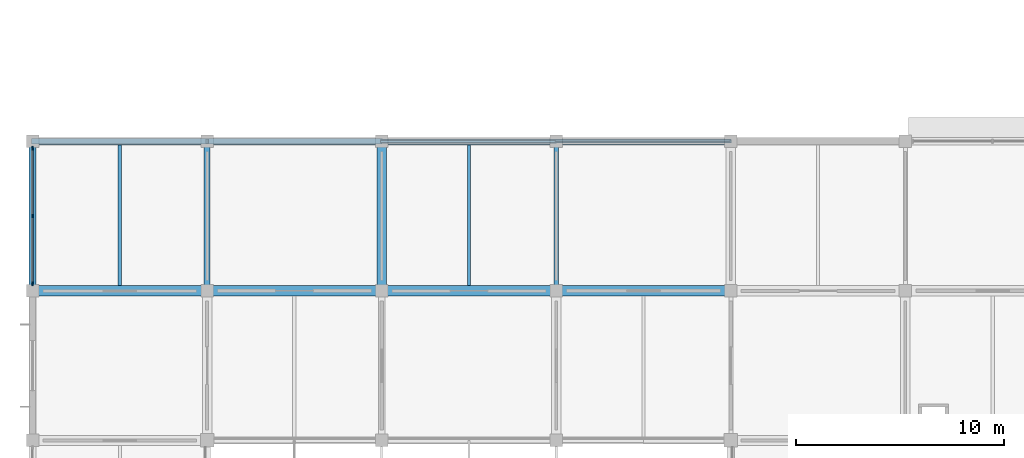
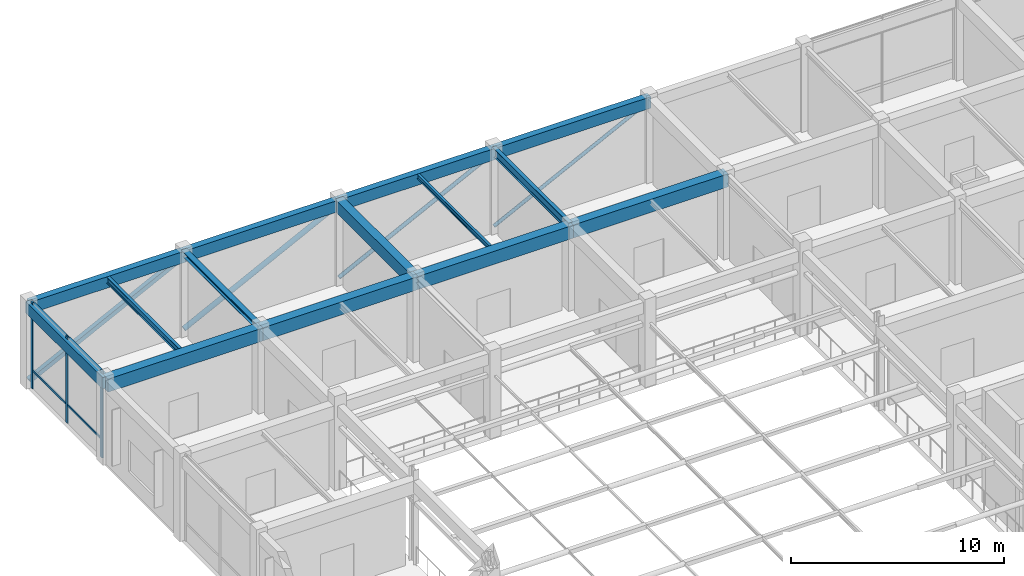
# One storey, part 15 of 38: 14 beams, 9 members, 1 element without a shape of its own.
"""IFC4 building model written with IfcOpenShell, lengths in metres."""

import ifcopenshell
import ifcopenshell.guid

model = None  # the IFC model being written
_history = None  # IfcOwnerHistory: only IFC2X3 demands one
_inside = {}  # id of a spatial element -> (the spatial element, [elements in it])
_under = {}  # id of a project, library or spatial element -> (it, [spatial elements below it])
_declared = {}  # id of a project -> (the project, [libraries it declares])
_typed = {}  # id of a type object -> (the type object, [elements of that type])
_made_of = {}  # id of a material, layer set ... -> (it, [elements and type objects made of it])


def new_model(schema):
    """Start an empty IFC model of exactly this schema.

    Asked for "IFC4X3", IfcOpenShell would pick the latest addendum, in which some entities
    have other attributes; the version numbers below select the first issue.
    IFC2X3 requires an IfcOwnerHistory on every rooted entity: one is made here for all.
    """
    global model, _history
    if schema == "IFC4X3":
        model = ifcopenshell.file(schema_version=(4, 3, 0, 0))
    else:
        model = ifcopenshell.file(schema=schema)
    _inside.clear()
    _under.clear()
    _declared.clear()
    _typed.clear()
    _made_of.clear()
    _history = None
    if model.schema == "IFC2X3":
        org = make("IfcOrganization", Name="unknown")
        user = make(
            "IfcPersonAndOrganization",
            ThePerson=make("IfcPerson", FamilyName="unknown"),
            TheOrganization=org,
        )
        app = make(
            "IfcApplication",
            ApplicationDeveloper=org,
            Version="unknown",
            ApplicationFullName="unknown",
            ApplicationIdentifier="unknown",
        )
        _history = make(
            "IfcOwnerHistory",
            OwningUser=user,
            OwningApplication=app,
            ChangeAction="ADDED",
            CreationDate=0,
        )
    return model


def make(cls, **values):
    """One entity of the class cls with the attributes given. An attribute that is None is left unset."""
    return model.create_entity(
        cls, **{name: value for name, value in values.items() if value is not None}
    )


def rooted(cls, **values):
    """An entity with a GlobalId (a new one), such as an element, a storey or a relation."""
    return make(cls, GlobalId=ifcopenshell.guid.new(), OwnerHistory=_history, **values)


def si_unit(unit_type, name, prefix=None):
    """IfcSIUnit, for example si_unit("LENGTHUNIT", "METRE", prefix="MILLI")."""
    return make("IfcSIUnit", UnitType=unit_type, Prefix=prefix, Name=name)


def derived_unit(unit_type, elements):
    """IfcDerivedUnit: a product of units, each with its exponent."""
    return make(
        "IfcDerivedUnit",
        Elements=[
            make("IfcDerivedUnitElement", Unit=unit, Exponent=power)
            for unit, power in elements
        ],
        UnitType=unit_type,
    )


def assignment(units):
    """IfcUnitAssignment: the units of a project."""
    return None if units is None else make("IfcUnitAssignment", Units=units)


def point(xyz):
    """IfcCartesianPoint."""
    return None if xyz is None else make("IfcCartesianPoint", Coordinates=xyz)


def direction(xyz):
    """IfcDirection."""
    return None if xyz is None else make("IfcDirection", DirectionRatios=xyz)


def frame(location, z_axis=None, x_axis=None):
    """IfcAxis2Placement3D, a coordinate frame: its origin and axes. An axis left out is left unset."""
    return make(
        "IfcAxis2Placement3D",
        Location=point(location),
        Axis=direction(z_axis),
        RefDirection=direction(x_axis),
    )


def frame_2d(location, x_axis=None):
    """IfcAxis2Placement2D, a coordinate frame in the plane: its origin and x axis."""
    return make(
        "IfcAxis2Placement2D", Location=point(location), RefDirection=direction(x_axis)
    )


def origin():
    """The frame at (0, 0, 0) with its axes left unset."""
    return frame((0.0, 0.0, 0.0))


def origin_2d():
    """The frame at (0, 0) in the plane with its x axis left unset."""
    return frame_2d((0.0, 0.0))


def place(relative_to, where):
    """IfcLocalPlacement: puts the frame where relative to a parent placement (None: the world)."""
    return make(
        "IfcLocalPlacement", PlacementRelTo=relative_to, RelativePlacement=where
    )


def context(
    kind, dimensions, precision=None, world=None, true_north=None, identifier=None
):
    """IfcGeometricRepresentationContext, for example the 3D "Model" context."""
    return make(
        "IfcGeometricRepresentationContext",
        ContextIdentifier=identifier,
        ContextType=kind,
        CoordinateSpaceDimension=dimensions,
        Precision=precision,
        WorldCoordinateSystem=world,
        TrueNorth=true_north,
    )


def subcontext(parent, identifier, kind, view, scale=None):
    """IfcGeometricRepresentationSubContext, for example "Body" below "Model"."""
    return make(
        "IfcGeometricRepresentationSubContext",
        ContextIdentifier=identifier,
        ContextType=kind,
        ParentContext=parent,
        TargetScale=scale,
        TargetView=view,
    )


def project(units=None, contexts=None):
    """IfcProject with its units and contexts."""
    return rooted(
        "IfcProject",
        Name="project",
        RepresentationContexts=contexts,
        UnitsInContext=assignment(units),
    )


def spatial(cls, under=None, at=None, **own):
    """A site, building, storey or space (cls), placed at a placement, below another one or the project."""
    s = rooted(cls, ObjectPlacement=at, **own)
    if under is not None:
        _under.setdefault(under.id(), (under, []))[1].append(s)
    return s


def profile(cls, at=None, kind="AREA", **sizes):
    """A parametric profile (cls). Its sizes go by their IFC names, for example OverallWidth=200.0."""
    return make(cls, ProfileType=kind, Position=at, **sizes)


def rectangle(**sizes):
    """IfcRectangleProfileDef."""
    return profile("IfcRectangleProfileDef", **sizes)


def hollow_rectangle(**sizes):
    """IfcRectangleHollowProfileDef."""
    return profile("IfcRectangleHollowProfileDef", **sizes)


def hollow_circle(**sizes):
    """IfcCircleHollowProfileDef."""
    return profile("IfcCircleHollowProfileDef", **sizes)


def i_section(**sizes):
    """IfcIShapeProfileDef."""
    return profile("IfcIShapeProfileDef", **sizes)


def extrude(swept, where, along, depth):
    """IfcExtrudedAreaSolid: the profile swept, set in the frame where, extruded along a direction by depth."""
    return make(
        "IfcExtrudedAreaSolid",
        SweptArea=swept,
        Position=where,
        ExtrudedDirection=direction(along),
        Depth=depth,
    )


def shape(context_of_items, identifier, shape_type, items):
    """IfcShapeRepresentation: the items that make up one representation, for example the "Body"."""
    return make(
        "IfcShapeRepresentation",
        ContextOfItems=context_of_items,
        RepresentationIdentifier=identifier,
        RepresentationType=shape_type,
        Items=items,
    )


def material(Name=None, Category=None):
    """IfcMaterial."""
    return make("IfcMaterial", Name=Name, Category=Category)


def material_profile(
    of_material, cross_section, Name=None, Category=None, Priority=None
):
    """IfcMaterialProfile: a cross section and its material."""
    return make(
        "IfcMaterialProfile",
        Name=Name,
        Material=of_material,
        Profile=cross_section,
        Priority=Priority,
        Category=Category,
    )


def profile_set(profiles, Name=None, composite=None):
    """IfcMaterialProfileSet."""
    return make(
        "IfcMaterialProfileSet",
        Name=Name,
        MaterialProfiles=profiles,
        CompositeProfile=composite,
    )


def made_of(thing, what):
    """Note that an element or type object is made of a material, layer set ...; save() writes the relation."""
    if what is not None:
        _made_of.setdefault(what.id(), (what, []))[1].append(thing)
    return thing


def type_object(cls, material=None, **own):
    """A type object (cls), such as IfcWallType, which elements share."""
    return made_of(rooted(cls, **own), material)


def element(
    cls,
    number,
    at=None,
    inside=None,
    cuts=None,
    type_object=None,
    material=None,
    context=None,
    identifier="Body",
    shape_type=None,
    held_by="IfcProductDefinitionShape",
    body=None,
    shapes=None,
    **own,
):
    """One element of the class cls, such as IfcWall. Its Tag is "e" and its number.

    at: its placement. inside: the storey or other place that contains it. cuts: it is an
    opening in that element (IfcRelVoidsElement). A single representation is given by context,
    identifier, shape_type and body (its items); several are given by shapes. held_by: the class
    of the entity that holds the representations. save() writes the other relations.
    """
    e = rooted(cls, Tag="e%d" % number, ObjectPlacement=at, **own)
    if body is not None:
        shapes = [shape(context, identifier, shape_type, body)]
    if shapes is not None:
        e.Representation = make(held_by, Representations=shapes)
    if inside is not None:
        _inside.setdefault(inside.id(), (inside, []))[1].append(e)
    if cuts is not None:
        rooted(
            "IfcRelVoidsElement", RelatingBuildingElement=cuts, RelatedOpeningElement=e
        )
    if type_object is not None:
        _typed.setdefault(type_object.id(), (type_object, []))[1].append(e)
    return made_of(e, material)


def aggregate(whole, parts):
    """IfcRelAggregates: a whole, such as a stair, and the parts it consists of."""
    return rooted("IfcRelAggregates", RelatingObject=whole, RelatedObjects=parts)


def save(model, path):
    """Write the relations noted so far, then the file.

    IfcRelAggregates (storeys below a building ...), IfcRelContainedInSpatialStructure (elements
    in a storey), IfcRelDefinesByType, IfcRelAssociatesMaterial and IfcRelDeclares: one each for
    every whole, place, type object, material and project.
    """
    for whole, parts in _under.values():
        aggregate(whole, parts)
    for where, things in _inside.values():
        rooted(
            "IfcRelContainedInSpatialStructure",
            RelatedElements=things,
            RelatingStructure=where,
        )
    for kind, things in _typed.values():
        rooted("IfcRelDefinesByType", RelatedObjects=things, RelatingType=kind)
    for what, things in _made_of.values():
        rooted("IfcRelAssociatesMaterial", RelatedObjects=things, RelatingMaterial=what)
    for by, libraries in _declared.values():
        rooted("IfcRelDeclares", RelatingContext=by, RelatedDefinitions=libraries)
    model.write(path)


model = new_model("IFC4")

# Units and contexts
model_context = context("Model", 3, precision=1e-05, world=origin(), true_north=direction((0.0, 1.0)))
body_context = subcontext(model_context, "Body", "Model", "MODEL_VIEW")
ifc_project = project(units=[si_unit("LENGTHUNIT", "METRE"), si_unit("AREAUNIT", "SQUARE_METRE"), si_unit("VOLUMEUNIT", "CUBIC_METRE"), si_unit("PLANEANGLEUNIT", "RADIAN"), si_unit("MASSUNIT", "GRAM", prefix="KILO"), derived_unit("THERMALTRANSMITTANCEUNIT", [(si_unit("MASSUNIT", "GRAM", prefix="KILO"), 1), (si_unit("TIMEUNIT", "SECOND"), -3), (si_unit("THERMODYNAMICTEMPERATUREUNIT", "KELVIN"), -1)])], contexts=[model_context])

# Site, building, storey
site_placement = place(None, origin())
site = spatial("IfcSite", under=ifc_project, at=site_placement, CompositionType="ELEMENT")
building_placement = place(site_placement, origin())
building = spatial("IfcBuilding", under=site, at=building_placement, Name="Veldstrom Oceanarium and Marine Research Institute", CompositionType="ELEMENT")
storey_placement = place(building_placement, frame((0.0, 0.0, 16.800048828125)))
storey = spatial("IfcBuildingStorey", under=building, at=storey_placement, Name="L03", CompositionType="ELEMENT", Elevation=16.800048828125)

# Curtain wall, members
ifc_material_1 = material(Name="Anodised Aluminium Framing", Category="aluminium")
curtain_wall_type = type_object("IfcCurtainWallType", Name="ARC-CW-CW06", PredefinedType="USERDEFINED", material=ifc_material_1)
curtain_wall_placement = place(storey_placement, origin())
curtain_wall = element("IfcCurtainWall", 1, at=curtain_wall_placement, inside=storey, type_object=curtain_wall_type, Name="Curtain Wall CW06 CW-L03-048", ObjectType="Curtain wall", PredefinedType="USERDEFINED")
ifc_material_2 = material(Name="Anodised Aluminium Framing", Category="aluminium")
ifc_material_profile_1 = material_profile(ifc_material_2, rectangle(XDim=0.074951171875, YDim=0.179931640625, at=origin_2d()), Name="ALU-MUL-75x180")
ifc_profile_set_1 = profile_set([ifc_material_profile_1], Name="Anodised Aluminium Framing")
member_type_1 = type_object("IfcMemberType", Name="ARC-MUL-ML1", PredefinedType="MULLION", material=ifc_profile_set_1)
member_1_placement = place(storey_placement, frame((8.39990234375, 65.139892578125, 0.0), z_axis=(0.0, 0.0, 1.0), x_axis=(1.0, 0.0, 0.0)))
member_1 = element("IfcMember", 2, at=member_1_placement, type_object=member_type_1, Name="Curtain Wall Mullion CW-L03-048-MUL-1", PredefinedType="MULLION", context=body_context, shape_type="SweptSolid", body=[
    extrude(rectangle(XDim=0.074951171875, YDim=0.179931640625, at=origin_2d()), origin(), (0.0, 0.0, 1.0), 4.949951171875),
])
member_2_placement = place(storey_placement, frame((8.39990234375, 68.39990234375, 0.0), z_axis=(0.0, 0.0, 1.0), x_axis=(1.0, 0.0, 0.0)))
member_2 = element("IfcMember", 3, at=member_2_placement, type_object=member_type_1, Name="Curtain Wall Mullion CW-L03-048-MUL-2", PredefinedType="MULLION", context=body_context, shape_type="SweptSolid", body=[
    extrude(rectangle(XDim=0.074951171875, YDim=0.179931640625, at=origin_2d()), origin(), (0.0, 0.0, 1.0), 4.949951171875),
])
member_3_placement = place(storey_placement, frame((8.39990234375, 71.659912109375, 0.0), z_axis=(0.0, 0.0, 1.0), x_axis=(1.0, 0.0, 0.0)))
member_3 = element("IfcMember", 4, at=member_3_placement, type_object=member_type_1, Name="Curtain Wall Mullion CW-L03-048-MUL-3", PredefinedType="MULLION", context=body_context, shape_type="SweptSolid", body=[
    extrude(rectangle(XDim=0.074951171875, YDim=0.179931640625, at=origin_2d()), origin(), (0.0, 0.0, 1.0), 4.949951171875),
])
ifc_material_3 = material(Name="Anodised Aluminium Framing", Category="aluminium")
ifc_material_profile_2 = material_profile(ifc_material_3, rectangle(XDim=0.06494140625, YDim=0.1201171875, at=origin_2d()), Name="ALU-TRN-65x120")
ifc_profile_set_2 = profile_set([ifc_material_profile_2], Name="Anodised Aluminium Framing")
member_type_2 = type_object("IfcMemberType", Name="ARC-TRN-TR2", PredefinedType="USERDEFINED", material=ifc_profile_set_2)
member_4_placement = place(storey_placement, frame((8.39990234375, 65.179931640625, 1.050048828125), z_axis=(0.0, 1.0, 0.0), x_axis=(-1.0, 0.0, 0.0)))
member_4 = element("IfcMember", 5, at=member_4_placement, type_object=member_type_2, Name="Curtain Wall Transom CW-L03-048-TRN-1", ObjectType="Transom", PredefinedType="USERDEFINED", context=body_context, shape_type="SweptSolid", body=[
    extrude(rectangle(XDim=0.06494140625, YDim=0.1201171875, at=origin_2d()), origin(), (0.0, 0.0, 1.0), 3.18017578125),
])
member_5_placement = place(storey_placement, frame((8.39990234375, 68.43994140625, 1.050048828125), z_axis=(0.0, 1.0, 0.0), x_axis=(-1.0, 0.0, 0.0)))
member_5 = element("IfcMember", 6, at=member_5_placement, type_object=member_type_2, Name="Curtain Wall Transom CW-L03-048-TRN-2", ObjectType="Transom", PredefinedType="USERDEFINED", context=body_context, shape_type="SweptSolid", body=[
    extrude(rectangle(XDim=0.06494140625, YDim=0.1201171875, at=origin_2d()), origin(), (0.0, 0.0, 1.0), 3.18017578125),
])
aggregate(curtain_wall, [member_1, member_2, member_3, member_4, member_5])

# Beams
ifc_material_4 = material(Name="Concrete C40/50", Category="concrete")
ifc_material_profile_3 = material_profile(ifc_material_4, rectangle(XDim=0.5, YDim=0.75, at=origin_2d()), Name="RC-BM-500x750")
ifc_profile_set_3 = profile_set([ifc_material_profile_3], Name="Concrete C40/50")
beam_type_1 = type_object("IfcBeamType", Name="STR-BM-B03", PredefinedType="BEAM", material=ifc_profile_set_3)
beam_1_placement = place(storey_placement, frame((8.39990234375, 64.800048828125, 4.445068359375), z_axis=(1.0, 0.0, 0.0), x_axis=(0.0, 1.0, 0.0)))
element("IfcBeam", 7, at=beam_1_placement, inside=storey, type_object=beam_type_1, Name="Primary Beam B03 L03-1847", PredefinedType="BEAM", context=body_context, shape_type="SweptSolid", body=[
    extrude(rectangle(XDim=0.5, YDim=0.75, at=origin_2d()), origin(), (0.0, 0.0, 1.0), 8.400146484375),
])
beam_2_placement = place(storey_placement, frame((16.800048828125, 64.800048828125, 4.445068359375), z_axis=(1.0, 0.0, 0.0), x_axis=(0.0, 1.0, 0.0)))
element("IfcBeam", 8, at=beam_2_placement, inside=storey, type_object=beam_type_1, Name="Primary Beam B03 L03-1852", PredefinedType="BEAM", context=body_context, shape_type="SweptSolid", body=[
    extrude(rectangle(XDim=0.5, YDim=0.75, at=origin_2d()), origin(), (0.0, 0.0, 1.0), 8.39990234375),
])
beam_3_placement = place(storey_placement, frame((25.199951171875, 64.800048828125, 4.445068359375), z_axis=(1.0, 0.0, 0.0), x_axis=(0.0, 1.0, 0.0)))
element("IfcBeam", 9, at=beam_3_placement, inside=storey, type_object=beam_type_1, Name="Primary Beam B03 L03-1857", PredefinedType="BEAM", context=body_context, shape_type="SweptSolid", body=[
    extrude(rectangle(XDim=0.5, YDim=0.75, at=origin_2d()), origin(), (0.0, 0.0, 1.0), 8.400146484375),
])
beam_4_placement = place(storey_placement, frame((33.60009765625, 64.800048828125, 4.445068359375), z_axis=(1.0, 0.0, 0.0), x_axis=(0.0, 1.0, 0.0)))
element("IfcBeam", 10, at=beam_4_placement, inside=storey, type_object=beam_type_1, Name="Primary Beam B03 L03-1862", PredefinedType="BEAM", context=body_context, shape_type="SweptSolid", body=[
    extrude(rectangle(XDim=0.5, YDim=0.75, at=origin_2d()), origin(), (0.0, 0.0, 1.0), 8.39990234375),
])
ifc_material_5 = material(Name="Concrete C40/50", Category="concrete")
ifc_material_profile_4 = material_profile(ifc_material_5, rectangle(XDim=0.449951171875, YDim=0.699951171875, at=origin_2d()), Name="RC-BM-450x700")
ifc_profile_set_4 = profile_set([ifc_material_profile_4], Name="Concrete C40/50")
beam_type_2 = type_object("IfcBeamType", Name="STR-BM-B04", PredefinedType="BEAM", material=ifc_profile_set_4)
beam_5_placement = place(storey_placement, frame((25.199951171875, 64.800048828125, 4.469970703125), z_axis=(0.0, 1.0, 0.0), x_axis=(-1.0, 0.0, 0.0)))
element("IfcBeam", 11, at=beam_5_placement, inside=storey, type_object=beam_type_2, Name="Primary Beam B04 L03-1968", PredefinedType="BEAM", context=body_context, shape_type="SweptSolid", body=[
    extrude(rectangle(XDim=0.449951171875, YDim=0.699951171875, at=origin_2d()), origin(), (0.0, 0.0, 1.0), 7.199951171875),
])
ifc_material_6 = material(Name="Steel S355JR", Category="steel")
ifc_material_profile_5 = material_profile(ifc_material_6, i_section(OverallWidth=0.300048828125, OverallDepth=0.2900390625, WebThickness=0.008544921875, FlangeThickness=0.013916015625, FilletRadius=0.027099609375, at=origin_2d()), Name="HEA 300")
ifc_profile_set_5 = profile_set([ifc_material_profile_5], Name="Steel S355JR")
beam_type_3 = type_object("IfcBeamType", Name="STR-BM-SB10", PredefinedType="BEAM", material=ifc_profile_set_5)
beam_6_placement = place(storey_placement, frame((16.800048828125, 64.800048828125, 4.675048828125), z_axis=(0.0, 1.0, 0.0), x_axis=(-1.0, 0.0, 0.0)))
element("IfcBeam", 12, at=beam_6_placement, inside=storey, type_object=beam_type_3, Name="Steel Tie Beam SB10 L03-1965", PredefinedType="BEAM", context=body_context, shape_type="SweptSolid", body=[
    extrude(i_section(OverallWidth=0.300048828125, OverallDepth=0.2900390625, WebThickness=0.008544921875, FlangeThickness=0.013916015625, FilletRadius=0.027099609375, at=origin_2d()), origin(), (0.0, 0.0, 1.0), 7.199951171875),
])
ifc_material_7 = material(Name="Steel S355JR", Category="steel")
ifc_material_profile_6 = material_profile(ifc_material_7, i_section(OverallWidth=0.199951171875, OverallDepth=0.5, WebThickness=0.01025390625, FlangeThickness=0.01611328125, FilletRadius=0.02099609375, at=origin_2d()), Name="IPE 500")
ifc_profile_set_6 = profile_set([ifc_material_profile_6], Name="Steel S355JR")
beam_type_4 = type_object("IfcBeamType", Name="STR-BM-SB6", PredefinedType="BEAM", material=ifc_profile_set_6)
beam_7_placement = place(storey_placement, frame((33.60009765625, 64.800048828125, 4.570068359375), z_axis=(0.0, 1.0, 0.0), x_axis=(-1.0, 0.0, 0.0)))
element("IfcBeam", 13, at=beam_7_placement, inside=storey, type_object=beam_type_4, Name="Steel Tie Beam SB6 L03-1971", PredefinedType="BEAM", context=body_context, shape_type="SweptSolid", body=[
    extrude(i_section(OverallWidth=0.199951171875, OverallDepth=0.5, WebThickness=0.01025390625, FlangeThickness=0.01611328125, FilletRadius=0.02099609375, at=origin_2d()), origin(), (0.0, 0.0, 1.0), 7.199951171875),
])
ifc_material_8 = material(Name="Steel S355JR", Category="steel")
ifc_material_profile_7 = material_profile(ifc_material_8, i_section(OverallWidth=0.169921875, OverallDepth=0.360107421875, WebThickness=0.008056640625, FlangeThickness=0.0126953125, FilletRadius=0.01806640625, at=origin_2d()), Name="IPE 360")
ifc_profile_set_7 = profile_set([ifc_material_profile_7], Name="Steel S355JR")
beam_type_5 = type_object("IfcBeamType", Name="STR-JST-SJ1", PredefinedType="JOIST", material=ifc_profile_set_7)
beam_8_placement = place(storey_placement, frame((12.60009765625, 65.050048828125, 4.639892578125), z_axis=(0.0, 1.0, 0.0), x_axis=(-1.0, 0.0, 0.0)))
element("IfcBeam", 14, at=beam_8_placement, inside=storey, type_object=beam_type_5, Name="Secondary Joist SJ1 L03-2057", PredefinedType="JOIST", context=body_context, shape_type="SweptSolid", body=[
    extrude(i_section(OverallWidth=0.169921875, OverallDepth=0.360107421875, WebThickness=0.008056640625, FlangeThickness=0.0126953125, FilletRadius=0.01806640625, at=origin_2d()), origin(), (0.0, 0.0, 1.0), 6.77490234375),
])
ifc_material_9 = material(Name="Steel S355JR", Category="steel")
ifc_material_profile_8 = material_profile(ifc_material_9, i_section(OverallWidth=0.135009765625, OverallDepth=0.27001953125, WebThickness=0.006591796875, FlangeThickness=0.01025390625, FilletRadius=0.014892578125, at=origin_2d()), Name="IPE 270")
ifc_profile_set_8 = profile_set([ifc_material_profile_8], Name="Steel S355JR")
beam_type_6 = type_object("IfcBeamType", Name="STR-JST-SJ3", PredefinedType="JOIST", material=ifc_profile_set_8)
beam_9_placement = place(storey_placement, frame((29.39990234375, 65.050048828125, 4.68505859375), z_axis=(0.0, 1.0, 0.0), x_axis=(-1.0, 0.0, 0.0)))
element("IfcBeam", 15, at=beam_9_placement, inside=storey, type_object=beam_type_6, Name="Secondary Joist SJ3 L03-2060", PredefinedType="JOIST", context=body_context, shape_type="SweptSolid", body=[
    extrude(i_section(OverallWidth=0.135009765625, OverallDepth=0.27001953125, WebThickness=0.006591796875, FlangeThickness=0.01025390625, FilletRadius=0.014892578125, at=origin_2d()), origin(), (0.0, 0.0, 1.0), 6.77490234375),
])

# Members
ifc_material_10 = material(Name="Steel S355JR", Category="steel")
ifc_material_profile_9 = material_profile(ifc_material_10, hollow_circle(Radius=0.109619140625, WallThickness=0.012451171875, at=origin_2d()), Name="CHS 219.1x12.5")
ifc_profile_set_9 = profile_set([ifc_material_profile_9], Name="Steel S355JR")
member_type_3 = type_object("IfcMemberType", Name="STR-MEM-BR1", PredefinedType="BRACE", material=ifc_profile_set_9)
member_6_placement = place(storey_placement, frame((25.199951171875, 72.0, 0.25), z_axis=(0.893370535628, 0.0, 0.449320694017), x_axis=(0.0, 1.0, 0.0)))
element("IfcMember", 16, at=member_6_placement, inside=storey, type_object=member_type_3, Name="Party-Wall Lateral Brace LB-L03-0631", PredefinedType="BRACE", context=body_context, shape_type="SweptSolid", body=[
    extrude(hollow_circle(Radius=0.109619140625, WallThickness=0.012451171875, at=origin_2d()), origin(), (0.0, 0.0, 1.0), 9.40283203125),
])
ifc_material_11 = material(Name="Steel S355JR", Category="steel")
ifc_material_profile_10 = material_profile(ifc_material_11, hollow_circle(Radius=0.096923828125, WallThickness=0.010009765625, at=origin_2d()), Name="CHS 193.7x10")
ifc_profile_set_10 = profile_set([ifc_material_profile_10], Name="Steel S355JR")
member_type_4 = type_object("IfcMemberType", Name="STR-MEM-BR2", PredefinedType="BRACE", material=ifc_profile_set_10)
member_7_placement = place(storey_placement, frame((33.60009765625, 72.0, 0.25), z_axis=(0.893365293438, 0.0, 0.449331116751), x_axis=(0.0, 1.0, 0.0)))
element("IfcMember", 17, at=member_7_placement, inside=storey, type_object=member_type_4, Name="Party-Wall Lateral Brace LB-L03-0632", PredefinedType="BRACE", context=body_context, shape_type="SweptSolid", body=[
    extrude(hollow_circle(Radius=0.096923828125, WallThickness=0.010009765625, at=origin_2d()), origin(), (0.0, 0.0, 1.0), 9.402587890625),
])
ifc_material_12 = material(Name="Steel S355JR", Category="steel")
ifc_material_profile_11 = material_profile(ifc_material_12, hollow_rectangle(XDim=0.25, YDim=0.25, WallThickness=0.012451171875, at=origin_2d()), Name="SHS 250x250x12.5")
ifc_profile_set_11 = profile_set([ifc_material_profile_11], Name="Steel S355JR")
member_type_5 = type_object("IfcMemberType", Name="STR-MEM-CH1", PredefinedType="CHORD", material=ifc_profile_set_11)
member_8_placement = place(storey_placement, frame((8.39990234375, 72.0, 0.25), z_axis=(0.893370535628, 0.0, 0.449320694017), x_axis=(0.0, 1.0, 0.0)))
element("IfcMember", 18, at=member_8_placement, inside=storey, type_object=member_type_5, Name="Party-Wall Lateral Brace LB-L03-0629", PredefinedType="CHORD", context=body_context, shape_type="SweptSolid", body=[
    extrude(hollow_rectangle(XDim=0.25, YDim=0.25, WallThickness=0.012451171875, at=origin_2d()), origin(), (0.0, 0.0, 1.0), 9.40283203125),
])
ifc_material_13 = material(Name="Steel S355JR", Category="steel")
ifc_material_profile_12 = material_profile(ifc_material_13, hollow_circle(Radius=0.136474609375, WallThickness=0.012451171875, at=origin_2d()), Name="CHS 273x12.5")
ifc_profile_set_12 = profile_set([ifc_material_profile_12], Name="Steel S355JR")
member_type_6 = type_object("IfcMemberType", Name="STR-MEM-CH3", PredefinedType="CHORD", material=ifc_profile_set_12)
member_9_placement = place(storey_placement, frame((16.800048828125, 72.0, 0.25), z_axis=(0.893365293438, 0.0, 0.449331116751), x_axis=(0.0, 1.0, 0.0)))
element("IfcMember", 19, at=member_9_placement, inside=storey, type_object=member_type_6, Name="Party-Wall Lateral Brace LB-L03-0630", PredefinedType="CHORD", context=body_context, shape_type="SweptSolid", body=[
    extrude(hollow_circle(Radius=0.136474609375, WallThickness=0.012451171875, at=origin_2d()), origin(), (0.0, 0.0, 1.0), 9.402587890625),
])

# Beams
ifc_material_14 = material(Name="Concrete C40/50", Category="concrete")
ifc_material_profile_13 = material_profile(ifc_material_14, rectangle(XDim=0.35009765625, YDim=0.64990234375, at=origin_2d()), Name="RC-SPN-350x650")
ifc_profile_set_13 = profile_set([ifc_material_profile_13], Name="Concrete C40/50")
beam_type_7 = type_object("IfcBeamType", Name="STR-SPN-SP1", PredefinedType="SPANDREL", material=ifc_profile_set_13)
beam_10_placement = place(storey_placement, frame((8.39990234375, 72.0, 4.494873046875), z_axis=(1.0, 0.0, 0.0), x_axis=(0.0, 1.0, 0.0)))
element("IfcBeam", 20, at=beam_10_placement, inside=storey, type_object=beam_type_7, Name="Perimeter Spandrel SPB1 L03-1848", PredefinedType="SPANDREL", context=body_context, shape_type="SweptSolid", body=[
    extrude(rectangle(XDim=0.35009765625, YDim=0.64990234375, at=origin_2d()), origin(), (0.0, 0.0, 1.0), 8.400146484375),
])
beam_11_placement = place(storey_placement, frame((16.800048828125, 72.0, 4.494873046875), z_axis=(1.0, 0.0, 0.0), x_axis=(0.0, 1.0, 0.0)))
element("IfcBeam", 21, at=beam_11_placement, inside=storey, type_object=beam_type_7, Name="Perimeter Spandrel SPB1 L03-1853", PredefinedType="SPANDREL", context=body_context, shape_type="SweptSolid", body=[
    extrude(rectangle(XDim=0.35009765625, YDim=0.64990234375, at=origin_2d()), origin(), (0.0, 0.0, 1.0), 8.39990234375),
])
beam_12_placement = place(storey_placement, frame((25.199951171875, 72.0, 4.494873046875), z_axis=(1.0, 0.0, 0.0), x_axis=(0.0, 1.0, 0.0)))
element("IfcBeam", 22, at=beam_12_placement, inside=storey, type_object=beam_type_7, Name="Perimeter Spandrel SPB1 L03-1858", PredefinedType="SPANDREL", context=body_context, shape_type="SweptSolid", body=[
    extrude(rectangle(XDim=0.35009765625, YDim=0.64990234375, at=origin_2d()), origin(), (0.0, 0.0, 1.0), 8.400146484375),
])
beam_13_placement = place(storey_placement, frame((33.60009765625, 72.0, 4.494873046875), z_axis=(1.0, 0.0, 0.0), x_axis=(0.0, 1.0, 0.0)))
element("IfcBeam", 23, at=beam_13_placement, inside=storey, type_object=beam_type_7, Name="Perimeter Spandrel SPB1 L03-1863", PredefinedType="SPANDREL", context=body_context, shape_type="SweptSolid", body=[
    extrude(rectangle(XDim=0.35009765625, YDim=0.64990234375, at=origin_2d()), origin(), (0.0, 0.0, 1.0), 8.39990234375),
])
beam_14_placement = place(storey_placement, frame((8.39990234375, 64.800048828125, 4.494873046875), z_axis=(0.0, 1.0, 0.0), x_axis=(-1.0, 0.0, 0.0)))
element("IfcBeam", 24, at=beam_14_placement, inside=storey, type_object=beam_type_7, Name="Perimeter Spandrel SPB1 L03-1956", PredefinedType="SPANDREL", context=body_context, shape_type="SweptSolid", body=[
    extrude(rectangle(XDim=0.35009765625, YDim=0.64990234375, at=origin_2d()), origin(), (0.0, 0.0, 1.0), 7.199951171875),
])

save(model, "model.ifc")
